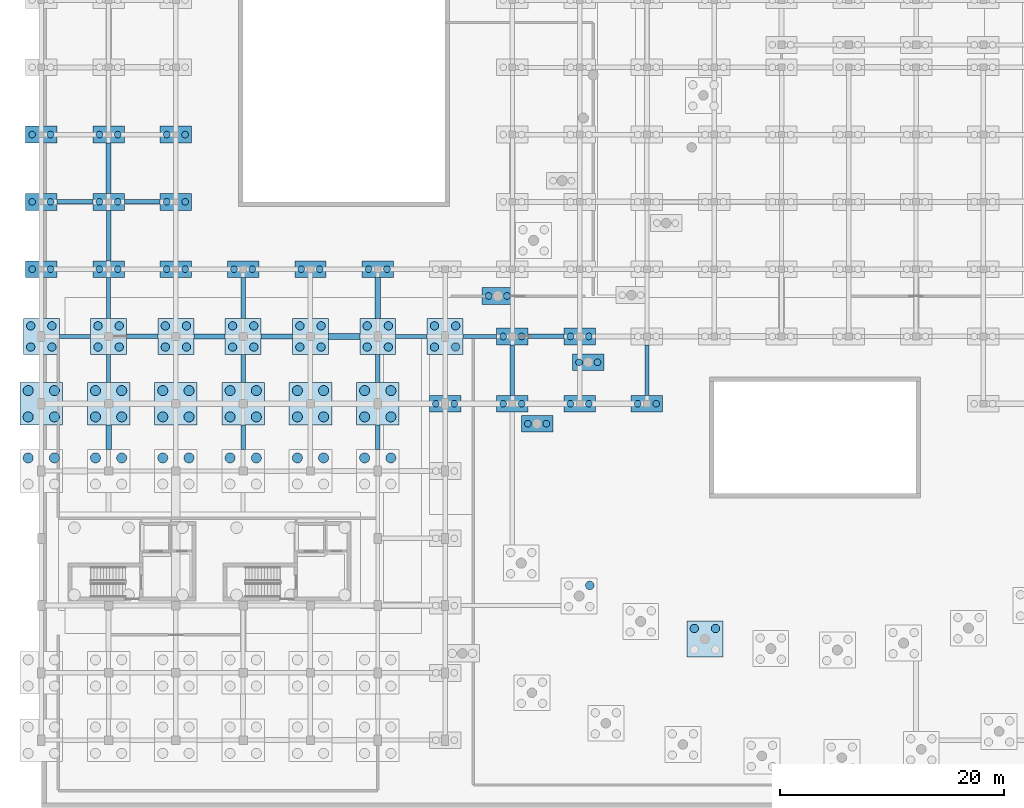
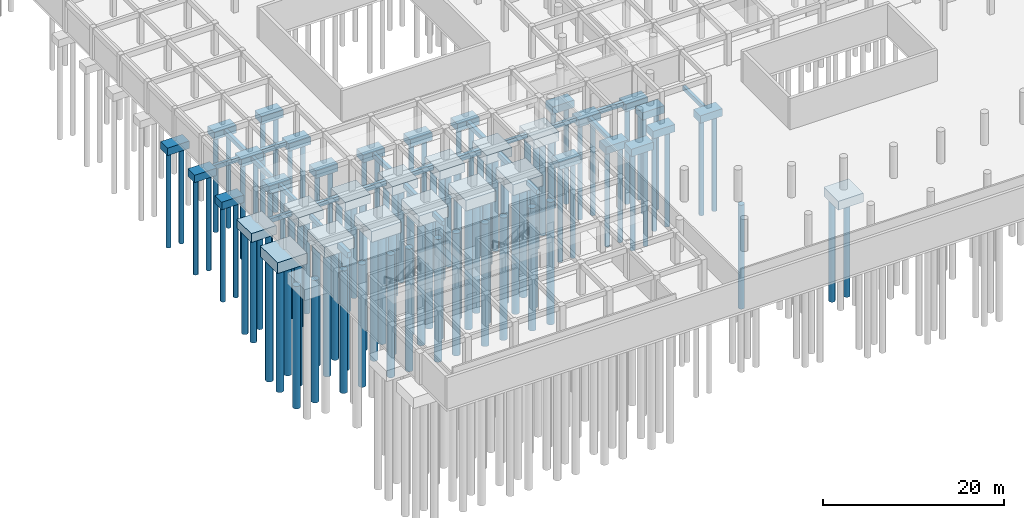
# One storey, part 2 of 41: 109 piles, 58 footings.
"""IFC4 building model written with IfcOpenShell, lengths in metres."""

import ifcopenshell
import ifcopenshell.guid

model = None  # the IFC model being written
_history = None  # IfcOwnerHistory: only IFC2X3 demands one
_inside = {}  # id of a spatial element -> (the spatial element, [elements in it])
_under = {}  # id of a project, library or spatial element -> (it, [spatial elements below it])
_declared = {}  # id of a project -> (the project, [libraries it declares])
_typed = {}  # id of a type object -> (the type object, [elements of that type])
_made_of = {}  # id of a material, layer set ... -> (it, [elements and type objects made of it])


def new_model(schema):
    """Start an empty IFC model of exactly this schema.

    Asked for "IFC4X3", IfcOpenShell would pick the latest addendum, in which some entities
    have other attributes; the version numbers below select the first issue.
    IFC2X3 requires an IfcOwnerHistory on every rooted entity: one is made here for all.
    """
    global model, _history
    if schema == "IFC4X3":
        model = ifcopenshell.file(schema_version=(4, 3, 0, 0))
    else:
        model = ifcopenshell.file(schema=schema)
    _inside.clear()
    _under.clear()
    _declared.clear()
    _typed.clear()
    _made_of.clear()
    _history = None
    if model.schema == "IFC2X3":
        org = make("IfcOrganization", Name="unknown")
        user = make(
            "IfcPersonAndOrganization",
            ThePerson=make("IfcPerson", FamilyName="unknown"),
            TheOrganization=org,
        )
        app = make(
            "IfcApplication",
            ApplicationDeveloper=org,
            Version="unknown",
            ApplicationFullName="unknown",
            ApplicationIdentifier="unknown",
        )
        _history = make(
            "IfcOwnerHistory",
            OwningUser=user,
            OwningApplication=app,
            ChangeAction="ADDED",
            CreationDate=0,
        )
    return model


def make(cls, **values):
    """One entity of the class cls with the attributes given. An attribute that is None is left unset."""
    return model.create_entity(
        cls, **{name: value for name, value in values.items() if value is not None}
    )


def rooted(cls, **values):
    """An entity with a GlobalId (a new one), such as an element, a storey or a relation."""
    return make(cls, GlobalId=ifcopenshell.guid.new(), OwnerHistory=_history, **values)


def si_unit(unit_type, name, prefix=None):
    """IfcSIUnit, for example si_unit("LENGTHUNIT", "METRE", prefix="MILLI")."""
    return make("IfcSIUnit", UnitType=unit_type, Prefix=prefix, Name=name)


def assignment(units):
    """IfcUnitAssignment: the units of a project."""
    return None if units is None else make("IfcUnitAssignment", Units=units)


def point(xyz):
    """IfcCartesianPoint."""
    return None if xyz is None else make("IfcCartesianPoint", Coordinates=xyz)


def direction(xyz):
    """IfcDirection."""
    return None if xyz is None else make("IfcDirection", DirectionRatios=xyz)


def frame(location, z_axis=None, x_axis=None):
    """IfcAxis2Placement3D, a coordinate frame: its origin and axes. An axis left out is left unset."""
    return make(
        "IfcAxis2Placement3D",
        Location=point(location),
        Axis=direction(z_axis),
        RefDirection=direction(x_axis),
    )


def frame_2d(location, x_axis=None):
    """IfcAxis2Placement2D, a coordinate frame in the plane: its origin and x axis."""
    return make(
        "IfcAxis2Placement2D", Location=point(location), RefDirection=direction(x_axis)
    )


def origin():
    """The frame at (0, 0, 0) with its axes left unset."""
    return frame((0.0, 0.0, 0.0))


def origin_2d():
    """The frame at (0, 0) in the plane with its x axis left unset."""
    return frame_2d((0.0, 0.0))


def place(relative_to, where):
    """IfcLocalPlacement: puts the frame where relative to a parent placement (None: the world)."""
    return make(
        "IfcLocalPlacement", PlacementRelTo=relative_to, RelativePlacement=where
    )


def context(
    kind, dimensions, precision=None, world=None, true_north=None, identifier=None
):
    """IfcGeometricRepresentationContext, for example the 3D "Model" context."""
    return make(
        "IfcGeometricRepresentationContext",
        ContextIdentifier=identifier,
        ContextType=kind,
        CoordinateSpaceDimension=dimensions,
        Precision=precision,
        WorldCoordinateSystem=world,
        TrueNorth=true_north,
    )


def subcontext(parent, identifier, kind, view, scale=None):
    """IfcGeometricRepresentationSubContext, for example "Body" below "Model"."""
    return make(
        "IfcGeometricRepresentationSubContext",
        ContextIdentifier=identifier,
        ContextType=kind,
        ParentContext=parent,
        TargetScale=scale,
        TargetView=view,
    )


def project(units=None, contexts=None):
    """IfcProject with its units and contexts."""
    return rooted(
        "IfcProject",
        Name="project",
        RepresentationContexts=contexts,
        UnitsInContext=assignment(units),
    )


def spatial(cls, under=None, at=None, **own):
    """A site, building, storey or space (cls), placed at a placement, below another one or the project."""
    s = rooted(cls, ObjectPlacement=at, **own)
    if under is not None:
        _under.setdefault(under.id(), (under, []))[1].append(s)
    return s


def polyline(points):
    """IfcPolyline through the points."""
    return make("IfcPolyline", Points=[point(p) for p in points])


def profile(cls, at=None, kind="AREA", **sizes):
    """A parametric profile (cls). Its sizes go by their IFC names, for example OverallWidth=200.0."""
    return make(cls, ProfileType=kind, Position=at, **sizes)


def rectangle(**sizes):
    """IfcRectangleProfileDef."""
    return profile("IfcRectangleProfileDef", **sizes)


def circle(**sizes):
    """IfcCircleProfileDef."""
    return profile("IfcCircleProfileDef", **sizes)


def outline(outer, holes=None, kind="AREA"):
    """IfcArbitraryClosedProfileDef: a profile drawn as a closed curve; with holes, ...WithVoids."""
    if holes is None:
        return make("IfcArbitraryClosedProfileDef", ProfileType=kind, OuterCurve=outer)
    return make(
        "IfcArbitraryProfileDefWithVoids",
        ProfileType=kind,
        OuterCurve=outer,
        InnerCurves=holes,
    )


def extrude(swept, where, along, depth):
    """IfcExtrudedAreaSolid: the profile swept, set in the frame where, extruded along a direction by depth."""
    return make(
        "IfcExtrudedAreaSolid",
        SweptArea=swept,
        Position=where,
        ExtrudedDirection=direction(along),
        Depth=depth,
    )


def shape(context_of_items, identifier, shape_type, items):
    """IfcShapeRepresentation: the items that make up one representation, for example the "Body"."""
    return make(
        "IfcShapeRepresentation",
        ContextOfItems=context_of_items,
        RepresentationIdentifier=identifier,
        RepresentationType=shape_type,
        Items=items,
    )


def material(Name=None, Category=None):
    """IfcMaterial."""
    return make("IfcMaterial", Name=Name, Category=Category)


def material_profile(
    of_material, cross_section, Name=None, Category=None, Priority=None
):
    """IfcMaterialProfile: a cross section and its material."""
    return make(
        "IfcMaterialProfile",
        Name=Name,
        Material=of_material,
        Profile=cross_section,
        Priority=Priority,
        Category=Category,
    )


def profile_set(profiles, Name=None, composite=None):
    """IfcMaterialProfileSet."""
    return make(
        "IfcMaterialProfileSet",
        Name=Name,
        MaterialProfiles=profiles,
        CompositeProfile=composite,
    )


def made_of(thing, what):
    """Note that an element or type object is made of a material, layer set ...; save() writes the relation."""
    if what is not None:
        _made_of.setdefault(what.id(), (what, []))[1].append(thing)
    return thing


def type_object(cls, material=None, **own):
    """A type object (cls), such as IfcWallType, which elements share."""
    return made_of(rooted(cls, **own), material)


def element(
    cls,
    number,
    at=None,
    inside=None,
    cuts=None,
    type_object=None,
    material=None,
    context=None,
    identifier="Body",
    shape_type=None,
    held_by="IfcProductDefinitionShape",
    body=None,
    shapes=None,
    **own,
):
    """One element of the class cls, such as IfcWall. Its Tag is "e" and its number.

    at: its placement. inside: the storey or other place that contains it. cuts: it is an
    opening in that element (IfcRelVoidsElement). A single representation is given by context,
    identifier, shape_type and body (its items); several are given by shapes. held_by: the class
    of the entity that holds the representations. save() writes the other relations.
    """
    e = rooted(cls, Tag="e%d" % number, ObjectPlacement=at, **own)
    if body is not None:
        shapes = [shape(context, identifier, shape_type, body)]
    if shapes is not None:
        e.Representation = make(held_by, Representations=shapes)
    if inside is not None:
        _inside.setdefault(inside.id(), (inside, []))[1].append(e)
    if cuts is not None:
        rooted(
            "IfcRelVoidsElement", RelatingBuildingElement=cuts, RelatedOpeningElement=e
        )
    if type_object is not None:
        _typed.setdefault(type_object.id(), (type_object, []))[1].append(e)
    return made_of(e, material)


def aggregate(whole, parts):
    """IfcRelAggregates: a whole, such as a stair, and the parts it consists of."""
    return rooted("IfcRelAggregates", RelatingObject=whole, RelatedObjects=parts)


def save(model, path):
    """Write the relations noted so far, then the file.

    IfcRelAggregates (storeys below a building ...), IfcRelContainedInSpatialStructure (elements
    in a storey), IfcRelDefinesByType, IfcRelAssociatesMaterial and IfcRelDeclares: one each for
    every whole, place, type object, material and project.
    """
    for whole, parts in _under.values():
        aggregate(whole, parts)
    for where, things in _inside.values():
        rooted(
            "IfcRelContainedInSpatialStructure",
            RelatedElements=things,
            RelatingStructure=where,
        )
    for kind, things in _typed.values():
        rooted("IfcRelDefinesByType", RelatedObjects=things, RelatingType=kind)
    for what, things in _made_of.values():
        rooted("IfcRelAssociatesMaterial", RelatedObjects=things, RelatingMaterial=what)
    for by, libraries in _declared.values():
        rooted("IfcRelDeclares", RelatingContext=by, RelatedDefinitions=libraries)
    model.write(path)


model = new_model("IFC4")

# Units and contexts
model_context = context("Model", 3, precision=1e-05, world=origin(), true_north=direction((0.0, 1.0)))
body_context = subcontext(model_context, "Body", "Model", "MODEL_VIEW")
ifc_project = project(units=[si_unit("LENGTHUNIT", "METRE"), si_unit("AREAUNIT", "SQUARE_METRE"), si_unit("VOLUMEUNIT", "CUBIC_METRE"), si_unit("PLANEANGLEUNIT", "RADIAN"), si_unit("MASSUNIT", "GRAM", prefix="KILO"), si_unit("POWERUNIT", "WATT"), si_unit("THERMODYNAMICTEMPERATUREUNIT", "KELVIN")], contexts=[model_context])

# Site, building, storey
site_placement = place(None, origin())
site = spatial("IfcSite", under=ifc_project, at=site_placement, CompositionType="ELEMENT")
building_placement = place(site_placement, origin())
building = spatial("IfcBuilding", under=site, at=building_placement, Name="Ruvembo Vaulted Housing Court", CompositionType="ELEMENT")
storey_placement = place(building_placement, frame((0.0, 0.0, -4.5)))
storey = spatial("IfcBuildingStorey", under=building, at=storey_placement, Name="B1", CompositionType="ELEMENT", Elevation=-4.5)

# Footings
ifc_material_1 = material(Name="Concrete C30/37", Category="concrete")
footing_type_1 = type_object("IfcFootingType", Name="GB-350x550", PredefinedType="FOOTING_BEAM", material=ifc_material_1)
footing_1_placement = place(storey_placement, frame((0.0, 0.0, -0.85009765625)))
element("IfcFooting", 1, at=footing_1_placement, inside=storey, type_object=footing_type_1, Name="Ground Tie Beam GB-060", PredefinedType="FOOTING_BEAM", context=body_context, shape_type="SweptSolid", body=[
    extrude(outline(polyline([(31.60009765625, 41.824951171875), (34.39990234375, 41.824951171875), (34.39990234375, 42.175048828125), (31.60009765625, 42.175048828125), (31.60009765625, 41.824951171875)])), origin(), (0.0, 0.0, 1.0), 0.550048828125),
])
footing_2_placement = place(storey_placement, frame((0.0, 0.0, -0.85009765625)))
element("IfcFooting", 2, at=footing_2_placement, inside=storey, type_object=footing_type_1, Name="Ground Tie Beam GB-186", PredefinedType="FOOTING_BEAM", context=body_context, shape_type="SweptSolid", body=[
    extrude(outline(polyline([(5.824951171875, 37.89990234375), (6.175048828125, 37.89990234375), (6.175048828125, 40.39990234375), (5.824951171875, 40.39990234375), (5.824951171875, 37.89990234375)])), origin(), (0.0, 0.0, 1.0), 0.550048828125),
])
footing_3_placement = place(storey_placement, frame((0.0, 0.0, -0.85009765625)))
element("IfcFooting", 3, at=footing_3_placement, inside=storey, type_object=footing_type_1, Name="Ground Tie Beam GB-222", PredefinedType="FOOTING_BEAM", context=body_context, shape_type="SweptSolid", body=[
    extrude(outline(polyline([(53.824951171875, 36.75), (54.175048828125, 36.75), (54.175048828125, 41.25), (53.824951171875, 41.25), (53.824951171875, 36.75)])), origin(), (0.0, 0.0, 1.0), 0.550048828125),
])
footing_type_2 = type_object("IfcFootingType", Name="GB-380x580", PredefinedType="FOOTING_BEAM", material=ifc_material_1)
footing_4_placement = place(storey_placement, frame((0.0, 0.0, -0.8798828125)))
element("IfcFooting", 4, at=footing_4_placement, inside=storey, type_object=footing_type_2, Name="Ground Tie Beam GB-055", PredefinedType="FOOTING_BEAM", context=body_context, shape_type="SweptSolid", body=[
    extrude(outline(polyline([(1.60009765625, 41.81005859375), (4.39990234375, 41.81005859375), (4.39990234375, 42.18994140625), (1.60009765625, 42.18994140625), (1.60009765625, 41.81005859375)])), origin(), (0.0, 0.0, 1.0), 0.579833984375),
])
footing_5_placement = place(storey_placement, frame((0.0, 0.0, -0.8798828125)))
element("IfcFooting", 5, at=footing_5_placement, inside=storey, type_object=footing_type_2, Name="Ground Tie Beam GB-061", PredefinedType="FOOTING_BEAM", context=body_context, shape_type="SweptSolid", body=[
    extrude(outline(polyline([(37.60009765625, 41.81005859375), (40.60009765625, 41.81005859375), (40.60009765625, 42.18994140625), (37.60009765625, 42.18994140625), (37.60009765625, 41.81005859375)])), origin(), (0.0, 0.0, 1.0), 0.579833984375),
])
footing_6_placement = place(storey_placement, frame((0.0, 0.0, -0.8798828125)))
element("IfcFooting", 6, at=footing_6_placement, inside=storey, type_object=footing_type_2, Name="Ground Tie Beam GB-187", PredefinedType="FOOTING_BEAM", context=body_context, shape_type="SweptSolid", body=[
    extrude(outline(polyline([(5.81005859375, 43.60009765625), (6.18994140625, 43.60009765625), (6.18994140625, 47.25), (5.81005859375, 47.25), (5.81005859375, 43.60009765625)])), origin(), (0.0, 0.0, 1.0), 0.579833984375),
])
footing_7_placement = place(storey_placement, frame((0.0, 0.0, -0.8798828125)))
element("IfcFooting", 7, at=footing_7_placement, inside=storey, type_object=footing_type_2, Name="Ground Tie Beam GB-199", PredefinedType="FOOTING_BEAM", context=body_context, shape_type="SweptSolid", body=[
    extrude(outline(polyline([(17.81005859375, 31.89990234375), (18.18994140625, 31.89990234375), (18.18994140625, 34.10009765625), (17.81005859375, 34.10009765625), (17.81005859375, 31.89990234375)])), origin(), (0.0, 0.0, 1.0), 0.579833984375),
])
footing_type_3 = type_object("IfcFootingType", Name="GB-400x600", PredefinedType="FOOTING_BEAM", material=ifc_material_1)
footing_8_placement = place(storey_placement, frame((0.0, 0.0, -0.89990234375)))
element("IfcFooting", 8, at=footing_8_placement, inside=storey, type_object=footing_type_3, Name="Ground Tie Beam GB-056", PredefinedType="FOOTING_BEAM", context=body_context, shape_type="SweptSolid", body=[
    extrude(outline(polyline([(7.60009765625, 41.800048828125), (10.39990234375, 41.800048828125), (10.39990234375, 42.199951171875), (7.60009765625, 42.199951171875), (7.60009765625, 41.800048828125)])), origin(), (0.0, 0.0, 1.0), 0.599853515625),
])
footing_9_placement = place(storey_placement, frame((0.0, 0.0, -0.89990234375)))
element("IfcFooting", 9, at=footing_9_placement, inside=storey, type_object=footing_type_3, Name="Ground Tie Beam GB-062", PredefinedType="FOOTING_BEAM", context=body_context, shape_type="SweptSolid", body=[
    extrude(outline(polyline([(43.39990234375, 41.800048828125), (46.60009765625, 41.800048828125), (46.60009765625, 42.199951171875), (43.39990234375, 42.199951171875), (43.39990234375, 41.800048828125)])), origin(), (0.0, 0.0, 1.0), 0.599853515625),
])
footing_10_placement = place(storey_placement, frame((0.0, 0.0, -0.89990234375)))
element("IfcFooting", 10, at=footing_10_placement, inside=storey, type_object=footing_type_3, Name="Ground Tie Beam GB-086", PredefinedType="FOOTING_BEAM", context=body_context, shape_type="SweptSolid", body=[
    extrude(outline(polyline([(1.39990234375, 53.800048828125), (4.60009765625, 53.800048828125), (4.60009765625, 54.199951171875), (1.39990234375, 54.199951171875), (1.39990234375, 53.800048828125)])), origin(), (0.0, 0.0, 1.0), 0.599853515625),
])
footing_11_placement = place(storey_placement, frame((0.0, 0.0, -0.89990234375)))
element("IfcFooting", 11, at=footing_11_placement, inside=storey, type_object=footing_type_3, Name="Ground Tie Beam GB-188", PredefinedType="FOOTING_BEAM", context=body_context, shape_type="SweptSolid", body=[
    extrude(outline(polyline([(5.800048828125, 48.75), (6.199951171875, 48.75), (6.199951171875, 53.25), (5.800048828125, 53.25), (5.800048828125, 48.75)])), origin(), (0.0, 0.0, 1.0), 0.599853515625),
])
footing_12_placement = place(storey_placement, frame((0.0, 0.0, -0.89990234375)))
element("IfcFooting", 12, at=footing_12_placement, inside=storey, type_object=footing_type_3, Name="Ground Tie Beam GB-200", PredefinedType="FOOTING_BEAM", context=body_context, shape_type="SweptSolid", body=[
    extrude(outline(polyline([(17.800048828125, 37.89990234375), (18.199951171875, 37.89990234375), (18.199951171875, 40.39990234375), (17.800048828125, 40.39990234375), (17.800048828125, 37.89990234375)])), origin(), (0.0, 0.0, 1.0), 0.599853515625),
])
footing_13_placement = place(storey_placement, frame((0.0, 0.0, -0.89990234375)))
element("IfcFooting", 13, at=footing_13_placement, inside=storey, type_object=footing_type_3, Name="Ground Tie Beam GB-206", PredefinedType="FOOTING_BEAM", context=body_context, shape_type="SweptSolid", body=[
    extrude(outline(polyline([(29.800048828125, 31.89990234375), (30.199951171875, 31.89990234375), (30.199951171875, 34.10009765625), (29.800048828125, 34.10009765625), (29.800048828125, 31.89990234375)])), origin(), (0.0, 0.0, 1.0), 0.599853515625),
])
footing_type_4 = type_object("IfcFootingType", Name="GB-420x620", PredefinedType="FOOTING_BEAM", material=ifc_material_1)
footing_14_placement = place(storey_placement, frame((0.0, 0.0, -0.919921875)))
element("IfcFooting", 14, at=footing_14_placement, inside=storey, type_object=footing_type_4, Name="Ground Tie Beam GB-057", PredefinedType="FOOTING_BEAM", context=body_context, shape_type="SweptSolid", body=[
    extrude(outline(polyline([(13.60009765625, 41.7900390625), (16.39990234375, 41.7900390625), (16.39990234375, 42.2099609375), (13.60009765625, 42.2099609375), (13.60009765625, 41.7900390625)])), origin(), (0.0, 0.0, 1.0), 0.619873046875),
])
footing_15_placement = place(storey_placement, frame((0.0, 0.0, -0.919921875)))
element("IfcFooting", 15, at=footing_15_placement, inside=storey, type_object=footing_type_4, Name="Ground Tie Beam GB-087", PredefinedType="FOOTING_BEAM", context=body_context, shape_type="SweptSolid", body=[
    extrude(outline(polyline([(7.39990234375, 53.7900390625), (10.60009765625, 53.7900390625), (10.60009765625, 54.2099609375), (7.39990234375, 54.2099609375), (7.39990234375, 53.7900390625)])), origin(), (0.0, 0.0, 1.0), 0.619873046875),
])
footing_16_placement = place(storey_placement, frame((0.0, 0.0, -0.919921875)))
element("IfcFooting", 16, at=footing_16_placement, inside=storey, type_object=footing_type_4, Name="Ground Tie Beam GB-189", PredefinedType="FOOTING_BEAM", context=body_context, shape_type="SweptSolid", body=[
    extrude(outline(polyline([(5.7900390625, 54.75), (6.2099609375, 54.75), (6.2099609375, 59.25), (5.7900390625, 59.25), (5.7900390625, 54.75)])), origin(), (0.0, 0.0, 1.0), 0.619873046875),
])
footing_17_placement = place(storey_placement, frame((0.0, 0.0, -0.919921875)))
element("IfcFooting", 17, at=footing_17_placement, inside=storey, type_object=footing_type_4, Name="Ground Tie Beam GB-201", PredefinedType="FOOTING_BEAM", context=body_context, shape_type="SweptSolid", body=[
    extrude(outline(polyline([(17.7900390625, 43.60009765625), (18.2099609375, 43.60009765625), (18.2099609375, 47.25), (17.7900390625, 47.25), (17.7900390625, 43.60009765625)])), origin(), (0.0, 0.0, 1.0), 0.619873046875),
])
footing_18_placement = place(storey_placement, frame((0.0, 0.0, -0.919921875)))
element("IfcFooting", 18, at=footing_18_placement, inside=storey, type_object=footing_type_4, Name="Ground Tie Beam GB-207", PredefinedType="FOOTING_BEAM", context=body_context, shape_type="SweptSolid", body=[
    extrude(outline(polyline([(29.7900390625, 37.89990234375), (30.2099609375, 37.89990234375), (30.2099609375, 40.39990234375), (29.7900390625, 40.39990234375), (29.7900390625, 37.89990234375)])), origin(), (0.0, 0.0, 1.0), 0.619873046875),
])
footing_19_placement = place(storey_placement, frame((0.0, 0.0, -0.919921875)))
element("IfcFooting", 19, at=footing_19_placement, inside=storey, type_object=footing_type_4, Name="Ground Tie Beam GB-213", PredefinedType="FOOTING_BEAM", context=body_context, shape_type="SweptSolid", body=[
    extrude(outline(polyline([(41.7900390625, 36.75), (42.2099609375, 36.75), (42.2099609375, 41.25), (41.7900390625, 41.25), (41.7900390625, 36.75)])), origin(), (0.0, 0.0, 1.0), 0.619873046875),
])
footing_type_5 = type_object("IfcFootingType", Name="GB-450x650", PredefinedType="FOOTING_BEAM", material=ifc_material_1)
footing_20_placement = place(storey_placement, frame((0.0, 0.0, -0.949951171875)))
element("IfcFooting", 20, at=footing_20_placement, inside=storey, type_object=footing_type_5, Name="Ground Tie Beam GB-058", PredefinedType="FOOTING_BEAM", context=body_context, shape_type="SweptSolid", body=[
    extrude(outline(polyline([(19.60009765625, 41.77490234375), (22.39990234375, 41.77490234375), (22.39990234375, 42.22509765625), (19.60009765625, 42.22509765625), (19.60009765625, 41.77490234375)])), origin(), (0.0, 0.0, 1.0), 0.64990234375),
])
footing_21_placement = place(storey_placement, frame((0.0, 0.0, -0.949951171875)))
element("IfcFooting", 21, at=footing_21_placement, inside=storey, type_object=footing_type_5, Name="Ground Tie Beam GB-208", PredefinedType="FOOTING_BEAM", context=body_context, shape_type="SweptSolid", body=[
    extrude(outline(polyline([(29.77490234375, 43.60009765625), (30.22509765625, 43.60009765625), (30.22509765625, 47.25), (29.77490234375, 47.25), (29.77490234375, 43.60009765625)])), origin(), (0.0, 0.0, 1.0), 0.64990234375),
])
footing_type_6 = type_object("IfcFootingType", Name="GB-500x700", PredefinedType="FOOTING_BEAM", material=ifc_material_1)
footing_22_placement = place(storey_placement, frame((0.0, 0.0, -1.0)))
element("IfcFooting", 22, at=footing_22_placement, inside=storey, type_object=footing_type_6, Name="Ground Tie Beam GB-059", PredefinedType="FOOTING_BEAM", context=body_context, shape_type="SweptSolid", body=[
    extrude(outline(polyline([(25.60009765625, 41.75), (28.39990234375, 41.75), (28.39990234375, 42.25), (25.60009765625, 42.25), (25.60009765625, 41.75)])), origin(), (0.0, 0.0, 1.0), 0.699951171875),
])
footing_23_placement = place(storey_placement, frame((0.0, 0.0, -1.0)))
element("IfcFooting", 23, at=footing_23_placement, inside=storey, type_object=footing_type_6, Name="Ground Tie Beam GB-185", PredefinedType="FOOTING_BEAM", context=body_context, shape_type="SweptSolid", body=[
    extrude(outline(polyline([(5.75, 31.89990234375), (6.25, 31.89990234375), (6.25, 34.10009765625), (5.75, 34.10009765625), (5.75, 31.89990234375)])), origin(), (0.0, 0.0, 1.0), 0.699951171875),
])
ifc_material_2 = material(Name="Concrete C35/45", Category="concrete")
footing_type_7 = type_object("IfcFootingType", Name="PC-2P-A", PredefinedType="PILE_CAP", material=ifc_material_2)
for number, where, z_axis, x_axis, name in (
    (24, (0.0, 48.0, -1.300048828125), (0.0, 0.0, 1.0), (1.0, 0.0, 0.0), "Pile Cap PC1 #10"),
    (25, (0.0, 54.0, -1.300048828125), (0.0, 0.0, 1.0), (1.0, 0.0, 0.0), "Pile Cap PC1 #11"),
    (26, (0.0, 60.0, -1.300048828125), (0.0, 0.0, 1.0), (1.0, 0.0, 0.0), "Pile Cap PC1 #12"),
    (27, (6.0, 48.0, -1.300048828125), (0.0, 0.0, 1.0), (1.0, 0.0, 0.0), "Pile Cap PC1 #22"),
    (28, (6.0, 54.0, -1.300048828125), (0.0, 0.0, 1.0), (1.0, 0.0, 0.0), "Pile Cap PC1 #23"),
    (29, (6.0, 60.0, -1.300048828125), (0.0, 0.0, 1.0), (1.0, 0.0, 0.0), "Pile Cap PC1 #24"),
    (30, (12.0, 48.0, -1.300048828125), (0.0, 0.0, 1.0), (1.0, 0.0, 0.0), "Pile Cap PC1 #36"),
    (31, (12.0, 54.0, -1.300048828125), (0.0, 0.0, 1.0), (1.0, 0.0, 0.0), "Pile Cap PC1 #37"),
    (32, (12.0, 60.0, -1.300048828125), (0.0, 0.0, 1.0), (1.0, 0.0, 0.0), "Pile Cap PC1 #38"),
    (33, (18.0, 48.0, -1.300048828125), (0.0, 0.0, 1.0), (1.0, 0.0, 0.0), "Pile Cap PC1 #50"),
    (34, (24.0, 48.0, -1.300048828125), (0.0, 0.0, 1.0), (1.0, 0.0, 0.0), "Pile Cap PC1 #60"),
    (35, (30.0, 48.0, -1.300048828125), (0.0, 0.0, 1.0), (1.0, 0.0, 0.0), "Pile Cap PC1 #70"),
    (36, (36.0, 36.0, -1.300048828125), (0.0, 0.0, 1.0), (1.0, 0.0, 0.0), "Pile Cap PC1 #80"),
    (37, (42.0, 36.0, -1.300048828125), (0.0, 0.0, 1.0), (1.0, 0.0, 0.0), "Pile Cap PC1 #87"),
    (38, (42.0, 42.0, -1.300048828125), (0.0, 0.0, 1.0), (1.0, 0.0, 0.0), "Pile Cap PC1 #88"),
    (39, (48.0, 36.0, -1.300048828125), (0.0, 0.0, 1.0), (1.0, 0.0, 0.0), "Pile Cap PC1 #98"),
    (40, (48.0, 42.0, -1.300048828125), (0.0, 0.0, 1.0), (1.0, 0.0, 0.0), "Pile Cap PC1 #99"),
    (41, (54.0, 36.0, -1.300048828125), (0.0, 0.0, 1.0), (1.0, 0.0, 0.0), "Pile Cap PC1 #110"),
    (42, (44.207763671875, 34.21923828125, -1.300048828125), (0.0, 0.0, 1.0), (1.0, 0.0, 0.0), "Pile Cap PC1 #393"),
    (43, (40.7041015625, 45.60986328125, -1.300048828125), (0.0, 0.0, 1.0), (1.0, 0.0, 0.0), "Pile Cap PC1 #394"),
    (44, (48.767333984375, 39.6953125, -1.300048828125), (0.0, 0.0, 1.0), (1.0, 0.0, 0.0), "Pile Cap PC1 #395"),
):
    element("IfcFooting", number, at=place(storey_placement, frame(where, z_axis=z_axis, x_axis=x_axis)), inside=storey, type_object=footing_type_7, Name=name, PredefinedType="PILE_CAP", context=body_context, shape_type="SweptSolid", body=[
        extrude(rectangle(XDim=2.800048828125, YDim=1.5, at=origin_2d()), origin(), (0.0, 0.0, 1.0), 1.0),
    ])
footing_type_8 = type_object("IfcFootingType", Name="PC-4P-A", PredefinedType="PILE_CAP", material=ifc_material_2)
for number, where, z_axis, x_axis, name in (
    (45, (0.0, 42.0, -1.5), (0.0, 0.0, 1.0), (1.0, 0.0, 0.0), "Pile Cap PC4 #9"),
    (46, (6.0, 42.0, -1.5), (0.0, 0.0, 1.0), (1.0, 0.0, 0.0), "Pile Cap PC4 #21"),
    (47, (12.0, 42.0, -1.5), (0.0, 0.0, 1.0), (1.0, 0.0, 0.0), "Pile Cap PC4 #35"),
    (48, (18.0, 42.0, -1.5), (0.0, 0.0, 1.0), (1.0, 0.0, 0.0), "Pile Cap PC4 #49"),
    (49, (24.0, 42.0, -1.5), (0.0, 0.0, 1.0), (1.0, 0.0, 0.0), "Pile Cap PC4 #59"),
    (50, (30.0, 42.0, -1.5), (0.0, 0.0, 1.0), (1.0, 0.0, 0.0), "Pile Cap PC4 #69"),
    (51, (36.0, 42.0, -1.5), (0.0, 0.0, 1.0), (1.0, 0.0, 0.0), "Pile Cap PC4 #81"),
    (52, (59.169189453125, 15.017578125, -1.5), (0.0, 0.0, 1.0), (1.0, 0.0, 0.0), "Pile Cap PC4 #409"),
):
    element("IfcFooting", number, at=place(storey_placement, frame(where, z_axis=z_axis, x_axis=x_axis)), inside=storey, type_object=footing_type_8, Name=name, PredefinedType="PILE_CAP", context=body_context, shape_type="SweptSolid", body=[
        extrude(rectangle(XDim=3.199951171875, YDim=3.199951171875, at=origin_2d()), origin(), (0.0, 0.0, 1.0), 1.199951171875),
    ])
footing_type_9 = type_object("IfcFootingType", Name="PC-4P-D", PredefinedType="PILE_CAP", material=ifc_material_2)
for number, where, z_axis, x_axis, name in (
    (53, (0.0, 36.0, -1.75), (0.0, 0.0, 1.0), (1.0, 0.0, 0.0), "Pile Cap PC7 #8"),
    (54, (6.0, 36.0, -1.75), (0.0, 0.0, 1.0), (1.0, 0.0, 0.0), "Pile Cap PC7 #20"),
    (55, (12.0, 36.0, -1.75), (0.0, 0.0, 1.0), (1.0, 0.0, 0.0), "Pile Cap PC7 #34"),
    (56, (18.0, 36.0, -1.75), (0.0, 0.0, 1.0), (1.0, 0.0, 0.0), "Pile Cap PC7 #48"),
    (57, (24.0, 36.0, -1.75), (0.0, 0.0, 1.0), (1.0, 0.0, 0.0), "Pile Cap PC7 #58"),
    (58, (30.0, 36.0, -1.75), (0.0, 0.0, 1.0), (1.0, 0.0, 0.0), "Pile Cap PC7 #68"),
):
    element("IfcFooting", number, at=place(storey_placement, frame(where, z_axis=z_axis, x_axis=x_axis)), inside=storey, type_object=footing_type_9, Name=name, PredefinedType="PILE_CAP", context=body_context, shape_type="SweptSolid", body=[
        extrude(rectangle(XDim=3.800048828125, YDim=3.800048828125, at=origin_2d()), origin(), (0.0, 0.0, 1.0), 1.449951171875),
    ])

# Piles
ifc_material_profile_1 = material_profile(ifc_material_1, circle(Radius=0.300048828125, at=origin_2d()), Name="PILE D600")
ifc_profile_set_1 = profile_set([ifc_material_profile_1], Name="Concrete C30/37")
pile_type_1 = type_object("IfcPileType", Name="PILE-BORED-600", PredefinedType="BORED", material=ifc_profile_set_1)
for number, where, z_axis, x_axis, name in (
    (59, (-0.820068359375, 48.0, -1.199951171875), (0.0, 0.0, -1.0), (1.0, 0.0, 0.0), "Bored Pile PILE-0069"),
    (60, (0.820068359375, 48.0, -1.199951171875), (0.0, 0.0, -1.0), (1.0, 0.0, 0.0), "Bored Pile PILE-0070"),
    (61, (-0.820068359375, 54.0, -1.199951171875), (0.0, 0.0, -1.0), (1.0, 0.0, 0.0), "Bored Pile PILE-0071"),
    (62, (0.820068359375, 54.0, -1.199951171875), (0.0, 0.0, -1.0), (1.0, 0.0, 0.0), "Bored Pile PILE-0072"),
    (63, (-0.820068359375, 60.0, -1.199951171875), (0.0, 0.0, -1.0), (1.0, 0.0, 0.0), "Bored Pile PILE-0073"),
    (64, (0.820068359375, 60.0, -1.199951171875), (0.0, 0.0, -1.0), (1.0, 0.0, 0.0), "Bored Pile PILE-0074"),
    (65, (5.179931640625, 48.0, -1.199951171875), (0.0, 0.0, -1.0), (1.0, 0.0, 0.0), "Bored Pile PILE-0103"),
    (66, (6.820068359375, 48.0, -1.199951171875), (0.0, 0.0, -1.0), (1.0, 0.0, 0.0), "Bored Pile PILE-0104"),
    (67, (5.179931640625, 54.0, -1.199951171875), (0.0, 0.0, -1.0), (1.0, 0.0, 0.0), "Bored Pile PILE-0105"),
    (68, (6.820068359375, 54.0, -1.199951171875), (0.0, 0.0, -1.0), (1.0, 0.0, 0.0), "Bored Pile PILE-0106"),
    (69, (5.179931640625, 60.0, -1.199951171875), (0.0, 0.0, -1.0), (1.0, 0.0, 0.0), "Bored Pile PILE-0107"),
    (70, (6.820068359375, 60.0, -1.199951171875), (0.0, 0.0, -1.0), (1.0, 0.0, 0.0), "Bored Pile PILE-0108"),
    (71, (11.179931640625, 48.0, -1.199951171875), (0.0, 0.0, -1.0), (1.0, 0.0, 0.0), "Bored Pile PILE-0141"),
    (72, (12.820068359375, 48.0, -1.199951171875), (0.0, 0.0, -1.0), (1.0, 0.0, 0.0), "Bored Pile PILE-0142"),
    (73, (11.179931640625, 54.0, -1.199951171875), (0.0, 0.0, -1.0), (1.0, 0.0, 0.0), "Bored Pile PILE-0143"),
    (74, (12.820068359375, 54.0, -1.199951171875), (0.0, 0.0, -1.0), (1.0, 0.0, 0.0), "Bored Pile PILE-0144"),
    (75, (11.179931640625, 60.0, -1.199951171875), (0.0, 0.0, -1.0), (1.0, 0.0, 0.0), "Bored Pile PILE-0145"),
    (76, (12.820068359375, 60.0, -1.199951171875), (0.0, 0.0, -1.0), (1.0, 0.0, 0.0), "Bored Pile PILE-0146"),
    (77, (17.179931640625, 48.0, -1.199951171875), (0.0, 0.0, -1.0), (1.0, 0.0, 0.0), "Bored Pile PILE-0179"),
    (78, (18.820068359375, 48.0, -1.199951171875), (0.0, 0.0, -1.0), (1.0, 0.0, 0.0), "Bored Pile PILE-0180"),
    (79, (23.179931640625, 48.0, -1.199951171875), (0.0, 0.0, -1.0), (1.0, 0.0, 0.0), "Bored Pile PILE-0209"),
    (80, (24.820068359375, 48.0, -1.199951171875), (0.0, 0.0, -1.0), (1.0, 0.0, 0.0), "Bored Pile PILE-0210"),
    (81, (29.179931640625, 48.0, -1.199951171875), (0.0, 0.0, -1.0), (1.0, 0.0, 0.0), "Bored Pile PILE-0239"),
    (82, (30.820068359375, 48.0, -1.199951171875), (0.0, 0.0, -1.0), (1.0, 0.0, 0.0), "Bored Pile PILE-0240"),
    (83, (35.179931640625, 36.0, -1.199951171875), (0.0, 0.0, -1.0), (1.0, 0.0, 0.0), "Bored Pile PILE-0259"),
    (84, (36.820068359375, 36.0, -1.199951171875), (0.0, 0.0, -1.0), (1.0, 0.0, 0.0), "Bored Pile PILE-0260"),
    (85, (41.179931640625, 36.0, -1.199951171875), (0.0, 0.0, -1.0), (1.0, 0.0, 0.0), "Bored Pile PILE-0275"),
    (86, (42.820068359375, 36.0, -1.199951171875), (0.0, 0.0, -1.0), (1.0, 0.0, 0.0), "Bored Pile PILE-0276"),
    (87, (41.179931640625, 42.0, -1.199951171875), (0.0, 0.0, -1.0), (1.0, 0.0, 0.0), "Bored Pile PILE-0277"),
    (88, (42.820068359375, 42.0, -1.199951171875), (0.0, 0.0, -1.0), (1.0, 0.0, 0.0), "Bored Pile PILE-0278"),
    (89, (47.179931640625, 36.0, -1.199951171875), (0.0, 0.0, -1.0), (1.0, 0.0, 0.0), "Bored Pile PILE-0297"),
    (90, (48.820068359375, 36.0, -1.199951171875), (0.0, 0.0, -1.0), (1.0, 0.0, 0.0), "Bored Pile PILE-0298"),
    (91, (47.179931640625, 42.0, -1.199951171875), (0.0, 0.0, -1.0), (1.0, 0.0, 0.0), "Bored Pile PILE-0299"),
    (92, (48.820068359375, 42.0, -1.199951171875), (0.0, 0.0, -1.0), (1.0, 0.0, 0.0), "Bored Pile PILE-0300"),
    (93, (53.179931640625, 36.0, -1.199951171875), (0.0, 0.0, -1.0), (1.0, 0.0, 0.0), "Bored Pile PILE-0329"),
    (94, (54.820068359375, 36.0, -1.199951171875), (0.0, 0.0, -1.0), (1.0, 0.0, 0.0), "Bored Pile PILE-0330"),
):
    element("IfcPile", number, at=place(storey_placement, frame(where, z_axis=z_axis, x_axis=x_axis)), inside=storey, type_object=pile_type_1, Name=name, PredefinedType="BORED", context=body_context, shape_type="SweptSolid", body=[
        extrude(circle(Radius=0.300048828125, at=origin_2d()), origin(), (0.0, 0.0, 1.0), 13.0),
    ])
for number, where, z_axis, x_axis, name in (
    (95, (43.3876953125, 34.21923828125, -1.199951171875), (0.0, 0.0, -1.0), (1.0, 0.0, 0.0), "Bored Pile PILE-1057"),
    (96, (45.02783203125, 34.21923828125, -1.199951171875), (0.0, 0.0, -1.0), (1.0, 0.0, 0.0), "Bored Pile PILE-1058"),
    (97, (39.884033203125, 45.60986328125, -1.199951171875), (0.0, 0.0, -1.0), (1.0, 0.0, 0.0), "Bored Pile PILE-1059"),
    (98, (41.52392578125, 45.60986328125, -1.199951171875), (0.0, 0.0, -1.0), (1.0, 0.0, 0.0), "Bored Pile PILE-1060"),
    (99, (47.947265625, 39.6953125, -1.199951171875), (0.0, 0.0, -1.0), (1.0, 0.0, 0.0), "Bored Pile PILE-1061"),
    (100, (49.58740234375, 39.6953125, -1.199951171875), (0.0, 0.0, -1.0), (1.0, 0.0, 0.0), "Bored Pile PILE-1062"),
):
    element("IfcPile", number, at=place(storey_placement, frame(where, z_axis=z_axis, x_axis=x_axis)), inside=storey, type_object=pile_type_1, Name=name, PredefinedType="BORED", context=body_context, shape_type="SweptSolid", body=[
        extrude(circle(Radius=0.300048828125, at=origin_2d()), origin(), (0.0, 0.0, 1.0), 13.199951171875),
    ])
ifc_material_profile_2 = material_profile(ifc_material_1, circle(Radius=0.375, at=origin_2d()), Name="PILE D750")
ifc_profile_set_2 = profile_set([ifc_material_profile_2], Name="Concrete C30/37")
pile_type_2 = type_object("IfcPileType", Name="PILE-BORED-750", PredefinedType="BORED", material=ifc_profile_set_2)
for number, where, z_axis, x_axis, name in (
    (101, (-0.945068359375, 41.054931640625, -1.39990234375), (0.0, 0.0, -1.0), (1.0, 0.0, 0.0), "Bored Pile PILE-0065"),
    (102, (0.945068359375, 41.054931640625, -1.39990234375), (0.0, 0.0, -1.0), (1.0, 0.0, 0.0), "Bored Pile PILE-0066"),
    (103, (-0.945068359375, 42.945068359375, -1.39990234375), (0.0, 0.0, -1.0), (1.0, 0.0, 0.0), "Bored Pile PILE-0067"),
    (104, (0.945068359375, 42.945068359375, -1.39990234375), (0.0, 0.0, -1.0), (1.0, 0.0, 0.0), "Bored Pile PILE-0068"),
    (105, (5.054931640625, 41.054931640625, -1.39990234375), (0.0, 0.0, -1.0), (1.0, 0.0, 0.0), "Bored Pile PILE-0099"),
    (106, (6.945068359375, 41.054931640625, -1.39990234375), (0.0, 0.0, -1.0), (1.0, 0.0, 0.0), "Bored Pile PILE-0100"),
    (107, (5.054931640625, 42.945068359375, -1.39990234375), (0.0, 0.0, -1.0), (1.0, 0.0, 0.0), "Bored Pile PILE-0101"),
    (108, (6.945068359375, 42.945068359375, -1.39990234375), (0.0, 0.0, -1.0), (1.0, 0.0, 0.0), "Bored Pile PILE-0102"),
    (109, (11.054931640625, 41.054931640625, -1.39990234375), (0.0, 0.0, -1.0), (1.0, 0.0, 0.0), "Bored Pile PILE-0137"),
    (110, (12.945068359375, 41.054931640625, -1.39990234375), (0.0, 0.0, -1.0), (1.0, 0.0, 0.0), "Bored Pile PILE-0138"),
    (111, (11.054931640625, 42.945068359375, -1.39990234375), (0.0, 0.0, -1.0), (1.0, 0.0, 0.0), "Bored Pile PILE-0139"),
    (112, (12.945068359375, 42.945068359375, -1.39990234375), (0.0, 0.0, -1.0), (1.0, 0.0, 0.0), "Bored Pile PILE-0140"),
    (113, (17.054931640625, 41.054931640625, -1.39990234375), (0.0, 0.0, -1.0), (1.0, 0.0, 0.0), "Bored Pile PILE-0175"),
    (114, (18.945068359375, 41.054931640625, -1.39990234375), (0.0, 0.0, -1.0), (1.0, 0.0, 0.0), "Bored Pile PILE-0176"),
    (115, (17.054931640625, 42.945068359375, -1.39990234375), (0.0, 0.0, -1.0), (1.0, 0.0, 0.0), "Bored Pile PILE-0177"),
    (116, (18.945068359375, 42.945068359375, -1.39990234375), (0.0, 0.0, -1.0), (1.0, 0.0, 0.0), "Bored Pile PILE-0178"),
    (117, (23.054931640625, 41.054931640625, -1.39990234375), (0.0, 0.0, -1.0), (1.0, 0.0, 0.0), "Bored Pile PILE-0205"),
    (118, (24.945068359375, 41.054931640625, -1.39990234375), (0.0, 0.0, -1.0), (1.0, 0.0, 0.0), "Bored Pile PILE-0206"),
    (119, (23.054931640625, 42.945068359375, -1.39990234375), (0.0, 0.0, -1.0), (1.0, 0.0, 0.0), "Bored Pile PILE-0207"),
    (120, (24.945068359375, 42.945068359375, -1.39990234375), (0.0, 0.0, -1.0), (1.0, 0.0, 0.0), "Bored Pile PILE-0208"),
    (121, (29.054931640625, 41.054931640625, -1.39990234375), (0.0, 0.0, -1.0), (1.0, 0.0, 0.0), "Bored Pile PILE-0235"),
    (122, (30.945068359375, 41.054931640625, -1.39990234375), (0.0, 0.0, -1.0), (1.0, 0.0, 0.0), "Bored Pile PILE-0236"),
    (123, (29.054931640625, 42.945068359375, -1.39990234375), (0.0, 0.0, -1.0), (1.0, 0.0, 0.0), "Bored Pile PILE-0237"),
    (124, (30.945068359375, 42.945068359375, -1.39990234375), (0.0, 0.0, -1.0), (1.0, 0.0, 0.0), "Bored Pile PILE-0238"),
    (125, (35.054931640625, 41.054931640625, -1.39990234375), (0.0, 0.0, -1.0), (1.0, 0.0, 0.0), "Bored Pile PILE-0261"),
    (126, (36.945068359375, 41.054931640625, -1.39990234375), (0.0, 0.0, -1.0), (1.0, 0.0, 0.0), "Bored Pile PILE-0262"),
    (127, (35.054931640625, 42.945068359375, -1.39990234375), (0.0, 0.0, -1.0), (1.0, 0.0, 0.0), "Bored Pile PILE-0263"),
    (128, (36.945068359375, 42.945068359375, -1.39990234375), (0.0, 0.0, -1.0), (1.0, 0.0, 0.0), "Bored Pile PILE-0264"),
    (129, (48.9033203125, 19.802978515625, -1.39990234375), (0.0, 0.0, -1.0), (1.0, 0.0, 0.0), "Bored Pile PILE-1094"),
    (130, (58.224365234375, 15.96240234375, -1.39990234375), (0.0, 0.0, -1.0), (1.0, 0.0, 0.0), "Bored Pile PILE-1109"),
    (131, (60.1142578125, 15.96240234375, -1.39990234375), (0.0, 0.0, -1.0), (1.0, 0.0, 0.0), "Bored Pile PILE-1110"),
):
    element("IfcPile", number, at=place(storey_placement, frame(where, z_axis=z_axis, x_axis=x_axis)), inside=storey, type_object=pile_type_2, Name=name, PredefinedType="BORED", context=body_context, shape_type="SweptSolid", body=[
        extrude(circle(Radius=0.375, at=origin_2d()), origin(), (0.0, 0.0, 1.0), 14.0),
    ])
ifc_material_profile_3 = material_profile(ifc_material_1, circle(Radius=0.449951171875, at=origin_2d()), Name="PILE D900")
ifc_profile_set_3 = profile_set([ifc_material_profile_3], Name="Concrete C30/37")
pile_type_3 = type_object("IfcPileType", Name="PILE-BORED-900", PredefinedType="BORED", material=ifc_profile_set_3)
for number, where, z_axis, x_axis, name in (
    (132, (-1.169921875, 31.169921875, -1.64990234375), (0.0, 0.0, -1.0), (1.0, 0.0, 0.0), "Bored Pile PILE-0059"),
    (133, (1.169921875, 31.169921875, -1.64990234375), (0.0, 0.0, -1.0), (1.0, 0.0, 0.0), "Bored Pile PILE-0060"),
    (134, (-1.169921875, 34.830078125, -1.64990234375), (0.0, 0.0, -1.0), (1.0, 0.0, 0.0), "Bored Pile PILE-0061"),
    (135, (1.169921875, 34.830078125, -1.64990234375), (0.0, 0.0, -1.0), (1.0, 0.0, 0.0), "Bored Pile PILE-0062"),
    (136, (-1.169921875, 37.169921875, -1.64990234375), (0.0, 0.0, -1.0), (1.0, 0.0, 0.0), "Bored Pile PILE-0063"),
    (137, (1.169921875, 37.169921875, -1.64990234375), (0.0, 0.0, -1.0), (1.0, 0.0, 0.0), "Bored Pile PILE-0064"),
    (138, (4.830078125, 31.169921875, -1.64990234375), (0.0, 0.0, -1.0), (1.0, 0.0, 0.0), "Bored Pile PILE-0093"),
    (139, (7.169921875, 31.169921875, -1.64990234375), (0.0, 0.0, -1.0), (1.0, 0.0, 0.0), "Bored Pile PILE-0094"),
    (140, (4.830078125, 34.830078125, -1.64990234375), (0.0, 0.0, -1.0), (1.0, 0.0, 0.0), "Bored Pile PILE-0095"),
    (141, (7.169921875, 34.830078125, -1.64990234375), (0.0, 0.0, -1.0), (1.0, 0.0, 0.0), "Bored Pile PILE-0096"),
    (142, (4.830078125, 37.169921875, -1.64990234375), (0.0, 0.0, -1.0), (1.0, 0.0, 0.0), "Bored Pile PILE-0097"),
    (143, (7.169921875, 37.169921875, -1.64990234375), (0.0, 0.0, -1.0), (1.0, 0.0, 0.0), "Bored Pile PILE-0098"),
    (144, (10.830078125, 31.169921875, -1.64990234375), (0.0, 0.0, -1.0), (1.0, 0.0, 0.0), "Bored Pile PILE-0131"),
    (145, (13.169921875, 31.169921875, -1.64990234375), (0.0, 0.0, -1.0), (1.0, 0.0, 0.0), "Bored Pile PILE-0132"),
    (146, (10.830078125, 34.830078125, -1.64990234375), (0.0, 0.0, -1.0), (1.0, 0.0, 0.0), "Bored Pile PILE-0133"),
    (147, (13.169921875, 34.830078125, -1.64990234375), (0.0, 0.0, -1.0), (1.0, 0.0, 0.0), "Bored Pile PILE-0134"),
    (148, (10.830078125, 37.169921875, -1.64990234375), (0.0, 0.0, -1.0), (1.0, 0.0, 0.0), "Bored Pile PILE-0135"),
    (149, (13.169921875, 37.169921875, -1.64990234375), (0.0, 0.0, -1.0), (1.0, 0.0, 0.0), "Bored Pile PILE-0136"),
    (150, (16.830078125, 31.169921875, -1.64990234375), (0.0, 0.0, -1.0), (1.0, 0.0, 0.0), "Bored Pile PILE-0169"),
    (151, (19.169921875, 31.169921875, -1.64990234375), (0.0, 0.0, -1.0), (1.0, 0.0, 0.0), "Bored Pile PILE-0170"),
    (152, (16.830078125, 34.830078125, -1.64990234375), (0.0, 0.0, -1.0), (1.0, 0.0, 0.0), "Bored Pile PILE-0171"),
    (153, (19.169921875, 34.830078125, -1.64990234375), (0.0, 0.0, -1.0), (1.0, 0.0, 0.0), "Bored Pile PILE-0172"),
    (154, (16.830078125, 37.169921875, -1.64990234375), (0.0, 0.0, -1.0), (1.0, 0.0, 0.0), "Bored Pile PILE-0173"),
    (155, (19.169921875, 37.169921875, -1.64990234375), (0.0, 0.0, -1.0), (1.0, 0.0, 0.0), "Bored Pile PILE-0174"),
    (156, (22.830078125, 31.169921875, -1.64990234375), (0.0, 0.0, -1.0), (1.0, 0.0, 0.0), "Bored Pile PILE-0199"),
    (157, (25.169921875, 31.169921875, -1.64990234375), (0.0, 0.0, -1.0), (1.0, 0.0, 0.0), "Bored Pile PILE-0200"),
    (158, (22.830078125, 34.830078125, -1.64990234375), (0.0, 0.0, -1.0), (1.0, 0.0, 0.0), "Bored Pile PILE-0201"),
    (159, (25.169921875, 34.830078125, -1.64990234375), (0.0, 0.0, -1.0), (1.0, 0.0, 0.0), "Bored Pile PILE-0202"),
    (160, (22.830078125, 37.169921875, -1.64990234375), (0.0, 0.0, -1.0), (1.0, 0.0, 0.0), "Bored Pile PILE-0203"),
    (161, (25.169921875, 37.169921875, -1.64990234375), (0.0, 0.0, -1.0), (1.0, 0.0, 0.0), "Bored Pile PILE-0204"),
    (162, (28.830078125, 31.169921875, -1.64990234375), (0.0, 0.0, -1.0), (1.0, 0.0, 0.0), "Bored Pile PILE-0229"),
    (163, (31.169921875, 31.169921875, -1.64990234375), (0.0, 0.0, -1.0), (1.0, 0.0, 0.0), "Bored Pile PILE-0230"),
    (164, (28.830078125, 34.830078125, -1.64990234375), (0.0, 0.0, -1.0), (1.0, 0.0, 0.0), "Bored Pile PILE-0231"),
    (165, (31.169921875, 34.830078125, -1.64990234375), (0.0, 0.0, -1.0), (1.0, 0.0, 0.0), "Bored Pile PILE-0232"),
    (166, (28.830078125, 37.169921875, -1.64990234375), (0.0, 0.0, -1.0), (1.0, 0.0, 0.0), "Bored Pile PILE-0233"),
    (167, (31.169921875, 37.169921875, -1.64990234375), (0.0, 0.0, -1.0), (1.0, 0.0, 0.0), "Bored Pile PILE-0234"),
):
    element("IfcPile", number, at=place(storey_placement, frame(where, z_axis=z_axis, x_axis=x_axis)), inside=storey, type_object=pile_type_3, Name=name, PredefinedType="BORED", context=body_context, shape_type="SweptSolid", body=[
        extrude(circle(Radius=0.449951171875, at=origin_2d()), origin(), (0.0, 0.0, 1.0), 16.5),
    ])

save(model, "model.ifc")
